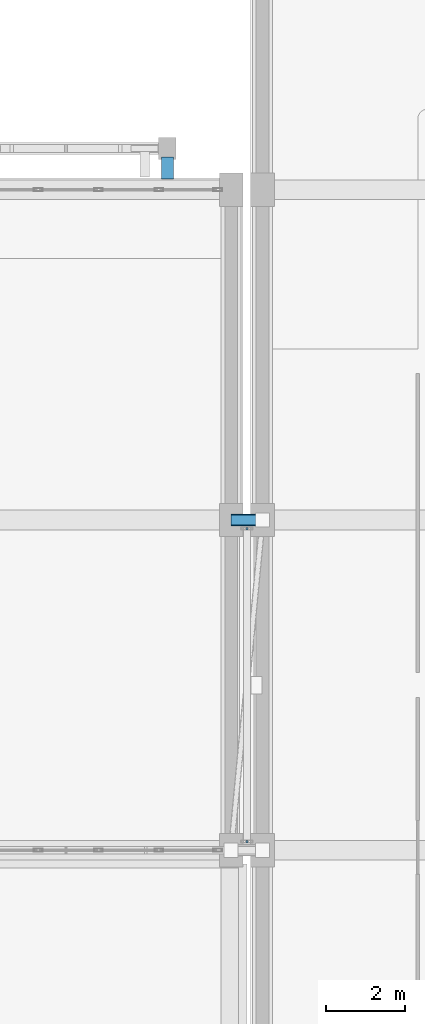
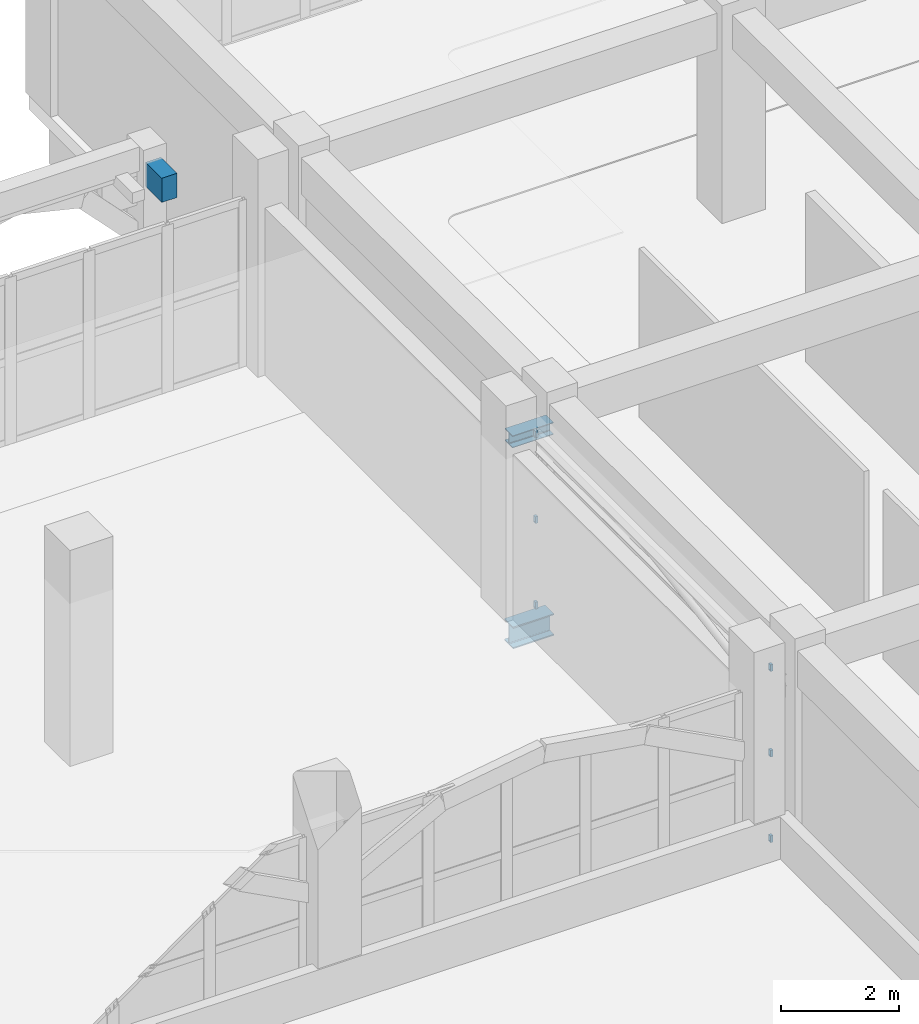
# One storey, part 79 of 129: 6 members, 3 beams, 2 elements without a shape of their own.
"""IFC4 building model written with IfcOpenShell, lengths in metres."""

from ifc_helpers import new_model, si_unit, direction, frame, origin, origin_2d, place, context, subcontext, project, spatial, rectangle, hollow_rectangle, i_section, extrude, material, layer, layer_set, material_profile, profile_set, type_object, element, aggregate, save


model = new_model("IFC4")

# Units and contexts
model_context = context("Model", 3, precision=1e-05, world=origin(), true_north=direction((0.0, 1.0)))
body_context = subcontext(model_context, "Body", "Model", "MODEL_VIEW")
ifc_project = project(units=[si_unit("LENGTHUNIT", "METRE"), si_unit("AREAUNIT", "SQUARE_METRE"), si_unit("VOLUMEUNIT", "CUBIC_METRE"), si_unit("PLANEANGLEUNIT", "RADIAN"), si_unit("MASSUNIT", "GRAM", prefix="KILO")], contexts=[model_context])

# Site, building, storey
site_placement = place(None, origin())
site = spatial("IfcSite", under=ifc_project, at=site_placement, CompositionType="ELEMENT")
building_placement = place(site_placement, origin())
building = spatial("IfcBuilding", under=site, at=building_placement, Name="Xazarin Passage Department Store", CompositionType="ELEMENT")
storey_placement = place(building_placement, frame((0.0, 0.0, 9.89990234375)))
storey = spatial("IfcBuildingStorey", under=building, at=storey_placement, Name="L02", CompositionType="ELEMENT", Elevation=9.89990234375)

# Curtain wall, members
ifc_material_1 = material(Name="Bronze anodised aluminium", Category="aluminium")
ifc_layer = layer(ifc_material_1, 0.14990234375)
ifc_layer_set = layer_set([ifc_layer], Name="Bronze anodised aluminium")
curtain_wall_type = type_object("IfcCurtainWallType", Name="ARC-CW-BRG1", PredefinedType="NOTDEFINED", material=ifc_layer_set)
curtain_wall_1_placement = place(storey_placement, origin())
curtain_wall_1 = element("IfcCurtainWall", 1, at=curtain_wall_1_placement, inside=storey, type_object=curtain_wall_type, Name="L02 BR-V1-V2N Bridge Curtain Wall 1", PredefinedType="NOTDEFINED")
ifc_material_profile_1 = material_profile(ifc_material_1, hollow_rectangle(XDim=0.06494140625, YDim=0.139892578125, WallThickness=0.00390625, at=origin_2d()), Name="ALU 65x140")
ifc_profile_set_1 = profile_set([ifc_material_profile_1], Name="Bronze anodised aluminium")
member_type = type_object("IfcMemberType", Name="ARC-CWT-65x140", PredefinedType="USERDEFINED", material=ifc_profile_set_1)
member_1_placement = place(storey_placement, frame((67.574951171875, 68.219970703125, 0.03271484375), z_axis=(1.0, 0.0, 0.0), x_axis=(0.0, 1.0, 0.0)))
member_1 = element("IfcMember", 2, at=member_1_placement, type_object=member_type, Name="CW7 transom 1.1", ObjectType="TRANSOM", PredefinedType="USERDEFINED", context=body_context, shape_type="SweptSolid", body=[
    extrude(hollow_rectangle(XDim=0.06494140625, YDim=0.139892578125, WallThickness=0.00390625, at=origin_2d()), origin(), (0.0, 0.0, 1.0), 0.050048828125),
])
member_2_placement = place(storey_placement, frame((67.574951171875, 68.219970703125, 1.800048828125), z_axis=(1.0, 0.0, 0.0), x_axis=(0.0, 1.0, 0.0)))
member_2 = element("IfcMember", 3, at=member_2_placement, type_object=member_type, Name="CW7 transom 1.2", ObjectType="TRANSOM", PredefinedType="USERDEFINED", context=body_context, shape_type="SweptSolid", body=[
    extrude(hollow_rectangle(XDim=0.06494140625, YDim=0.139892578125, WallThickness=0.00390625, at=origin_2d()), origin(), (0.0, 0.0, 1.0), 0.050048828125),
])
member_3_placement = place(storey_placement, frame((67.574951171875, 68.219970703125, 3.567626953125), z_axis=(1.0, 0.0, 0.0), x_axis=(0.0, 1.0, 0.0)))
member_3 = element("IfcMember", 4, at=member_3_placement, type_object=member_type, Name="CW7 transom 1.3", ObjectType="TRANSOM", PredefinedType="USERDEFINED", context=body_context, shape_type="SweptSolid", body=[
    extrude(hollow_rectangle(XDim=0.06494140625, YDim=0.139892578125, WallThickness=0.00390625, at=origin_2d()), origin(), (0.0, 0.0, 1.0), 0.050048828125),
])
aggregate(curtain_wall_1, [member_1, member_2, member_3])

curtain_wall_2_placement = place(storey_placement, origin())
curtain_wall_2 = element("IfcCurtainWall", 5, at=curtain_wall_2_placement, inside=storey, type_object=curtain_wall_type, Name="L02 BR-V1-V2N Bridge Curtain Wall 2", PredefinedType="NOTDEFINED")
member_4_placement = place(storey_placement, frame((67.574951171875, 76.179931640625, 0.03271484375), z_axis=(1.0, 0.0, 0.0), x_axis=(0.0, 1.0, 0.0)))
member_4 = element("IfcMember", 6, at=member_4_placement, type_object=member_type, Name="CW7 transom 1.1", ObjectType="TRANSOM", PredefinedType="USERDEFINED", context=body_context, shape_type="SweptSolid", body=[
    extrude(hollow_rectangle(XDim=0.06494140625, YDim=0.139892578125, WallThickness=0.00390625, at=origin_2d()), origin(), (0.0, 0.0, 1.0), 0.050048828125),
])
member_5_placement = place(storey_placement, frame((67.574951171875, 76.179931640625, 1.800048828125), z_axis=(1.0, 0.0, 0.0), x_axis=(0.0, 1.0, 0.0)))
member_5 = element("IfcMember", 7, at=member_5_placement, type_object=member_type, Name="CW7 transom 1.2", ObjectType="TRANSOM", PredefinedType="USERDEFINED", context=body_context, shape_type="SweptSolid", body=[
    extrude(hollow_rectangle(XDim=0.06494140625, YDim=0.139892578125, WallThickness=0.00390625, at=origin_2d()), origin(), (0.0, 0.0, 1.0), 0.050048828125),
])
member_6_placement = place(storey_placement, frame((67.574951171875, 76.179931640625, 3.567626953125), z_axis=(1.0, 0.0, 0.0), x_axis=(0.0, 1.0, 0.0)))
member_6 = element("IfcMember", 8, at=member_6_placement, type_object=member_type, Name="CW7 transom 1.3", ObjectType="TRANSOM", PredefinedType="USERDEFINED", context=body_context, shape_type="SweptSolid", body=[
    extrude(hollow_rectangle(XDim=0.06494140625, YDim=0.139892578125, WallThickness=0.00390625, at=origin_2d()), origin(), (0.0, 0.0, 1.0), 0.050048828125),
])
aggregate(curtain_wall_2, [member_4, member_5, member_6])

# Beams
ifc_material_2 = material(Name="Steel S355", Category="steel")
ifc_material_profile_2 = material_profile(ifc_material_2, i_section(OverallWidth=0.300048828125, OverallDepth=0.449951171875, WebThickness=0.013916015625, FlangeThickness=0.02587890625, FilletRadius=0.027099609375, at=origin_2d()), Name="HEB 450")
ifc_profile_set_2 = profile_set([ifc_material_profile_2], Name="Steel S355")
beam_type_1 = type_object("IfcBeamType", Name="STR-BM-BR450", PredefinedType="BEAM", material=ifc_profile_set_2)
beam_1_placement = place(storey_placement, frame((67.199951171875, 76.39990234375, -0.56494140625), z_axis=(1.0, 0.0, 0.0), x_axis=(0.0, 1.0, 0.0)))
element("IfcBeam", 9, at=beam_1_placement, inside=storey, type_object=beam_type_1, Name="L02 BR-V1-V2N Bridge Girder B", PredefinedType="BEAM", context=body_context, shape_type="SweptSolid", body=[
    extrude(i_section(OverallWidth=0.300048828125, OverallDepth=0.449951171875, WebThickness=0.013916015625, FlangeThickness=0.02587890625, FilletRadius=0.027099609375, at=origin_2d()), origin(), (0.0, 0.0, 1.0), 0.800048828125),
])
ifc_material_profile_3 = material_profile(ifc_material_2, i_section(OverallWidth=0.260009765625, OverallDepth=0.25, WebThickness=0.007568359375, FlangeThickness=0.012451171875, FilletRadius=0.02392578125, at=origin_2d()), Name="HEA 260")
ifc_profile_set_3 = profile_set([ifc_material_profile_3], Name="Steel S355")
beam_type_2 = type_object("IfcBeamType", Name="STR-BM-CAN260", PredefinedType="BEAM", material=ifc_profile_set_3)
beam_2_placement = place(storey_placement, frame((67.199951171875, 76.39990234375, 3.47509765625), z_axis=(1.0, 0.0, 0.0), x_axis=(0.0, 1.0, 0.0)))
element("IfcBeam", 10, at=beam_2_placement, inside=storey, type_object=beam_type_2, Name="L02 BR-V1-V2N Bridge Roof Beam B", PredefinedType="BEAM", context=body_context, shape_type="SweptSolid", body=[
    extrude(i_section(OverallWidth=0.260009765625, OverallDepth=0.25, WebThickness=0.007568359375, FlangeThickness=0.012451171875, FilletRadius=0.02392578125, at=origin_2d()), origin(), (0.0, 0.0, 1.0), 0.800048828125),
])
ifc_material_3 = material(Name="Concrete C35/45", Category="concrete")
ifc_material_profile_4 = material_profile(ifc_material_3, rectangle(XDim=0.300048828125, YDim=0.5, at=origin_2d()), Name="RC 300x500")
ifc_profile_set_4 = profile_set([ifc_material_profile_4], Name="Concrete C35/45")
beam_type_3 = type_object("IfcBeamType", Name="STR-BM-LN300x500", PredefinedType="LINTEL", material=ifc_profile_set_4)
beam_3_placement = place(storey_placement, frame((65.580078125, 85.080078125, 3.9501953125), z_axis=(0.0, 1.0, 0.0), x_axis=(-1.0, 0.0, 0.0)))
element("IfcBeam", 11, at=beam_3_placement, inside=storey, type_object=beam_type_3, Name="L02 V1 Colonnade Tie Rib 007R", PredefinedType="LINTEL", context=body_context, shape_type="SweptSolid", body=[
    extrude(rectangle(XDim=0.300048828125, YDim=0.5, at=origin_2d()), origin(), (0.0, 0.0, 1.0), 0.5498046875),
])

save(model, "model.ifc")
